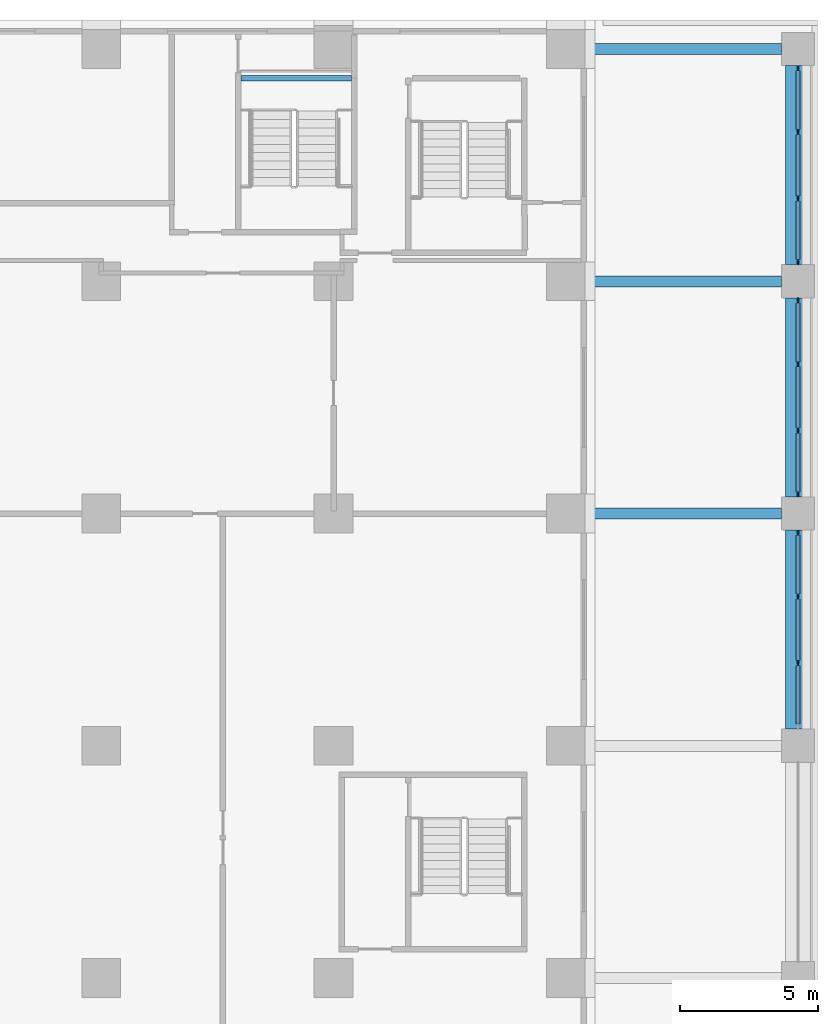
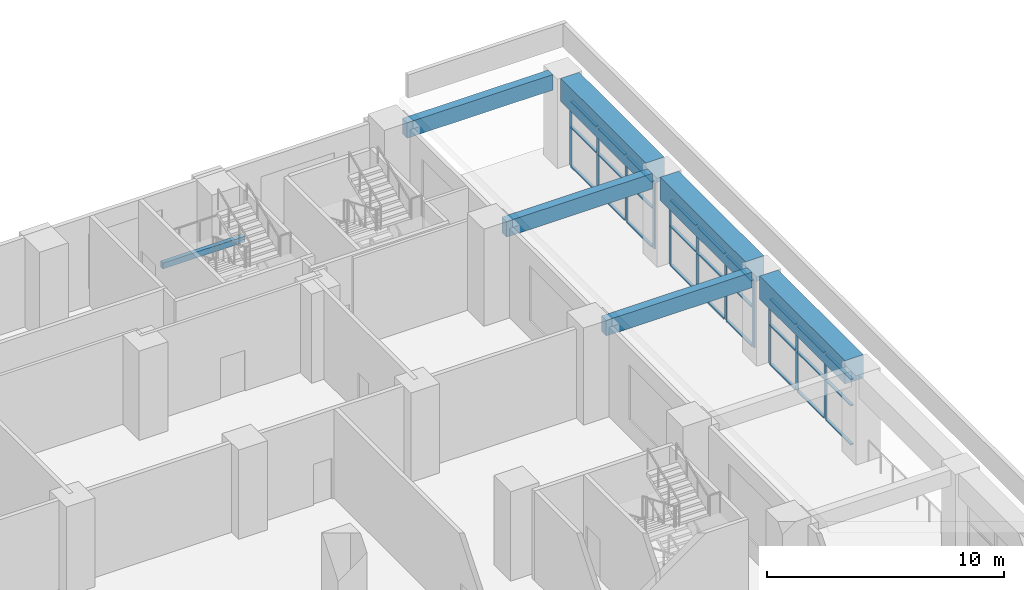
# One storey, part 3 of 29: 38 members, 7 beams, 3 elements without a shape of their own.
"""IFC4 building model written with IfcOpenShell, lengths in metres."""

from ifc_helpers import new_model, si_unit, direction, frame, origin, origin_2d, place, context, subcontext, project, spatial, rectangle, extrude, material, material_profile, profile_set, type_object, element, aggregate, save


model = new_model("IFC4")

# Units and contexts
model_context = context("Model", 3, precision=1e-05, world=origin(), true_north=direction((0.0, 1.0)))
body_context = subcontext(model_context, "Body", "Model", "MODEL_VIEW")
ifc_project = project(units=[si_unit("LENGTHUNIT", "METRE"), si_unit("AREAUNIT", "SQUARE_METRE"), si_unit("VOLUMEUNIT", "CUBIC_METRE"), si_unit("PLANEANGLEUNIT", "RADIAN"), si_unit("MASSUNIT", "GRAM", prefix="KILO")], contexts=[model_context])

# Site, building, storey
site_placement = place(None, origin())
site = spatial("IfcSite", under=ifc_project, at=site_placement, CompositionType="ELEMENT")
building_placement = place(site_placement, origin())
building = spatial("IfcBuilding", under=site, at=building_placement, Name="Vermilion Ogive Tower", CompositionType="ELEMENT")
storey_placement = place(building_placement, frame((0.0, 0.0, 7.5)))
storey = spatial("IfcBuildingStorey", under=building, at=storey_placement, Name="L01", CompositionType="ELEMENT", Elevation=7.5)

# Beams
ifc_material_1 = material(Name="Concrete B45", Category="concrete")
ifc_material_profile_1 = material_profile(ifc_material_1, rectangle(XDim=0.89990234375, YDim=1.199951171875, at=origin_2d()), Name="RC 900x1200")
ifc_profile_set_1 = profile_set([ifc_material_profile_1], Name="Concrete B45")
beam_type_1 = type_object("IfcBeamType", Name="Arcade edge beam AB1 900x1200", PredefinedType="BEAM", material=ifc_profile_set_1)
for number, where, z_axis, x_axis, name in (
    (1, (58.800048828125, 4.800048828125, 4.0), (0.0, 1.0, 0.0), (-1.0, 0.0, 0.0), "Arcade edge beam L01 05"),
    (2, (58.800048828125, 13.199951171875, 4.0), (0.0, 1.0, 0.0), (-1.0, 0.0, 0.0), "Arcade edge beam L01 06"),
    (3, (58.800048828125, 21.60009765625, 4.0), (0.0, 1.0, 0.0), (-1.0, 0.0, 0.0), "Arcade edge beam L01 07"),
):
    element("IfcBeam", number, at=place(storey_placement, frame(where, z_axis=z_axis, x_axis=x_axis)), inside=storey, type_object=beam_type_1, Name=name, PredefinedType="BEAM", context=body_context, shape_type="SweptSolid", body=[
        extrude(rectangle(XDim=0.89990234375, YDim=1.199951171875, at=origin_2d()), origin(), (0.0, 0.0, 1.0), 7.199951171875),
    ])

# Curtain wall, members
ifc_material_2 = material(Name="Clear double glazing in aluminium frame", Category="aluminium")
curtain_wall_type = type_object("IfcCurtainWallType", Name="Curtain wall CW2", PredefinedType="NOTDEFINED", material=ifc_material_2)
curtain_wall_1_placement = place(storey_placement, origin())
curtain_wall_1 = element("IfcCurtainWall", 4, at=curtain_wall_1_placement, inside=storey, type_object=curtain_wall_type, Name="CW2 arcade glazing L01 5", PredefinedType="NOTDEFINED")
ifc_material_3 = material(Name="Aluminium mullion", Category="aluminium")
ifc_material_profile_2 = material_profile(ifc_material_3, rectangle(XDim=0.06005859375, YDim=0.179931640625, at=origin_2d()), Name="AL 60x180")
ifc_profile_set_2 = profile_set([ifc_material_profile_2], Name="Aluminium mullion")
member_type_1 = type_object("IfcMemberType", Name="CW2 mullion 60x180", PredefinedType="MULLION", material=ifc_profile_set_2)
member_1_placement = place(storey_placement, frame((58.800048828125, 7.199951171875, 0.0), z_axis=(0.0, 0.0, 1.0), x_axis=(-1.0, 0.0, 0.0)))
member_1 = element("IfcMember", 5, at=member_1_placement, type_object=member_type_1, Name="CW2-015 mullion 2", PredefinedType="MULLION", context=body_context, shape_type="SweptSolid", body=[
    extrude(rectangle(XDim=0.06005859375, YDim=0.179931640625, at=origin_2d()), origin(), (0.0, 0.0, 1.0), 3.39990234375),
])
member_2_placement = place(storey_placement, frame((58.800048828125, 9.60009765625, 0.0), z_axis=(0.0, 0.0, 1.0), x_axis=(-1.0, 0.0, 0.0)))
member_2 = element("IfcMember", 6, at=member_2_placement, type_object=member_type_1, Name="CW2-015 mullion 3", PredefinedType="MULLION", context=body_context, shape_type="SweptSolid", body=[
    extrude(rectangle(XDim=0.06005859375, YDim=0.179931640625, at=origin_2d()), origin(), (0.0, 0.0, 1.0), 3.39990234375),
])
member_3_placement = place(storey_placement, frame((58.800048828125, 11.909912109375, 0.0), z_axis=(0.0, 0.0, 1.0), x_axis=(-1.0, 0.0, 0.0)))
member_3 = element("IfcMember", 7, at=member_3_placement, type_object=member_type_1, Name="CW2-015 mullion 4", PredefinedType="MULLION", context=body_context, shape_type="SweptSolid", body=[
    extrude(rectangle(XDim=0.06005859375, YDim=0.179931640625, at=origin_2d()), origin(), (0.0, 0.0, 1.0), 3.39990234375),
])

curtain_wall_2_placement = place(storey_placement, origin())
curtain_wall_2 = element("IfcCurtainWall", 8, at=curtain_wall_2_placement, inside=storey, type_object=curtain_wall_type, Name="CW2 arcade glazing L01 6", PredefinedType="NOTDEFINED")
member_4_placement = place(storey_placement, frame((58.800048828125, 13.2900390625, 0.0), z_axis=(0.0, 0.0, 1.0), x_axis=(-1.0, 0.0, 0.0)))
member_4 = element("IfcMember", 9, at=member_4_placement, type_object=member_type_1, Name="CW2-016 mullion 1", PredefinedType="MULLION", context=body_context, shape_type="SweptSolid", body=[
    extrude(rectangle(XDim=0.06005859375, YDim=0.179931640625, at=origin_2d()), origin(), (0.0, 0.0, 1.0), 3.39990234375),
])
member_5_placement = place(storey_placement, frame((58.800048828125, 15.60009765625, 0.0), z_axis=(0.0, 0.0, 1.0), x_axis=(-1.0, 0.0, 0.0)))
member_5 = element("IfcMember", 10, at=member_5_placement, type_object=member_type_1, Name="CW2-016 mullion 2", PredefinedType="MULLION", context=body_context, shape_type="SweptSolid", body=[
    extrude(rectangle(XDim=0.06005859375, YDim=0.179931640625, at=origin_2d()), origin(), (0.0, 0.0, 1.0), 3.39990234375),
])
member_6_placement = place(storey_placement, frame((58.800048828125, 18.0, 0.0), z_axis=(0.0, 0.0, 1.0), x_axis=(-1.0, 0.0, 0.0)))
member_6 = element("IfcMember", 11, at=member_6_placement, type_object=member_type_1, Name="CW2-016 mullion 3", PredefinedType="MULLION", context=body_context, shape_type="SweptSolid", body=[
    extrude(rectangle(XDim=0.06005859375, YDim=0.179931640625, at=origin_2d()), origin(), (0.0, 0.0, 1.0), 3.39990234375),
])
member_7_placement = place(storey_placement, frame((58.800048828125, 20.31005859375, 0.0), z_axis=(0.0, 0.0, 1.0), x_axis=(-1.0, 0.0, 0.0)))
member_7 = element("IfcMember", 12, at=member_7_placement, type_object=member_type_1, Name="CW2-016 mullion 4", PredefinedType="MULLION", context=body_context, shape_type="SweptSolid", body=[
    extrude(rectangle(XDim=0.06005859375, YDim=0.179931640625, at=origin_2d()), origin(), (0.0, 0.0, 1.0), 3.39990234375),
])

curtain_wall_3_placement = place(storey_placement, origin())
curtain_wall_3 = element("IfcCurtainWall", 13, at=curtain_wall_3_placement, inside=storey, type_object=curtain_wall_type, Name="CW2 arcade glazing L01 7", PredefinedType="NOTDEFINED")
member_8_placement = place(storey_placement, frame((58.800048828125, 21.68994140625, 0.0), z_axis=(0.0, 0.0, 1.0), x_axis=(-1.0, 0.0, 0.0)))
member_8 = element("IfcMember", 14, at=member_8_placement, type_object=member_type_1, Name="CW2-017 mullion 1", PredefinedType="MULLION", context=body_context, shape_type="SweptSolid", body=[
    extrude(rectangle(XDim=0.06005859375, YDim=0.179931640625, at=origin_2d()), origin(), (0.0, 0.0, 1.0), 3.39990234375),
])
member_9_placement = place(storey_placement, frame((58.800048828125, 24.0, 0.0), z_axis=(0.0, 0.0, 1.0), x_axis=(-1.0, 0.0, 0.0)))
member_9 = element("IfcMember", 15, at=member_9_placement, type_object=member_type_1, Name="CW2-017 mullion 2", PredefinedType="MULLION", context=body_context, shape_type="SweptSolid", body=[
    extrude(rectangle(XDim=0.06005859375, YDim=0.179931640625, at=origin_2d()), origin(), (0.0, 0.0, 1.0), 3.39990234375),
])
member_10_placement = place(storey_placement, frame((58.800048828125, 26.39990234375, 0.0), z_axis=(0.0, 0.0, 1.0), x_axis=(-1.0, 0.0, 0.0)))
member_10 = element("IfcMember", 16, at=member_10_placement, type_object=member_type_1, Name="CW2-017 mullion 3", PredefinedType="MULLION", context=body_context, shape_type="SweptSolid", body=[
    extrude(rectangle(XDim=0.06005859375, YDim=0.179931640625, at=origin_2d()), origin(), (0.0, 0.0, 1.0), 3.39990234375),
])
member_11_placement = place(storey_placement, frame((58.800048828125, 28.7099609375, 0.0), z_axis=(0.0, 0.0, 1.0), x_axis=(-1.0, 0.0, 0.0)))
member_11 = element("IfcMember", 17, at=member_11_placement, type_object=member_type_1, Name="CW2-017 mullion 4", PredefinedType="MULLION", context=body_context, shape_type="SweptSolid", body=[
    extrude(rectangle(XDim=0.06005859375, YDim=0.179931640625, at=origin_2d()), origin(), (0.0, 0.0, 1.0), 3.39990234375),
])

# Member
ifc_material_4 = material(Name="Aluminium transom", Category="aluminium")
ifc_material_profile_3 = material_profile(ifc_material_4, rectangle(XDim=0.139892578125, YDim=0.06005859375, at=origin_2d()), Name="AL 60x140")
ifc_profile_set_3 = profile_set([ifc_material_profile_3], Name="Aluminium transom")
member_type_2 = type_object("IfcMemberType", Name="CW2 transom 60x140", PredefinedType="USERDEFINED", material=ifc_profile_set_3)
member_12_placement = place(storey_placement, frame((58.800048828125, 4.97998046875, 0.030029296875), z_axis=(0.0, 1.0, 0.0), x_axis=(-1.0, 0.0, 0.0)))
member_12 = element("IfcMember", 18, at=member_12_placement, type_object=member_type_2, Name="CW2-015 transom 1.1", ObjectType="TRANSOM", PredefinedType="USERDEFINED", context=body_context, shape_type="SweptSolid", body=[
    extrude(rectangle(XDim=0.139892578125, YDim=0.06005859375, at=origin_2d()), origin(), (0.0, 0.0, 1.0), 2.130126953125),
])

member_13_placement = place(storey_placement, frame((58.800048828125, 4.97998046875, 2.0400390625), z_axis=(0.0, 1.0, 0.0), x_axis=(-1.0, 0.0, 0.0)))
member_13 = element("IfcMember", 19, at=member_13_placement, type_object=member_type_2, Name="CW2-015 transom 1.2", ObjectType="TRANSOM", PredefinedType="USERDEFINED", context=body_context, shape_type="SweptSolid", body=[
    extrude(rectangle(XDim=0.139892578125, YDim=0.06005859375, at=origin_2d()), origin(), (0.0, 0.0, 1.0), 2.130126953125),
])

member_14_placement = place(storey_placement, frame((58.800048828125, 4.97998046875, 3.3701171875), z_axis=(0.0, 1.0, 0.0), x_axis=(-1.0, 0.0, 0.0)))
member_14 = element("IfcMember", 20, at=member_14_placement, type_object=member_type_2, Name="CW2-015 transom 1.3", ObjectType="TRANSOM", PredefinedType="USERDEFINED", context=body_context, shape_type="SweptSolid", body=[
    extrude(rectangle(XDim=0.139892578125, YDim=0.06005859375, at=origin_2d()), origin(), (0.0, 0.0, 1.0), 2.130126953125),
])

member_15_placement = place(storey_placement, frame((58.800048828125, 7.2900390625, 0.030029296875), z_axis=(0.0, 1.0, 0.0), x_axis=(-1.0, 0.0, 0.0)))
member_15 = element("IfcMember", 21, at=member_15_placement, type_object=member_type_2, Name="CW2-015 transom 2.1", ObjectType="TRANSOM", PredefinedType="USERDEFINED", context=body_context, shape_type="SweptSolid", body=[
    extrude(rectangle(XDim=0.139892578125, YDim=0.06005859375, at=origin_2d()), origin(), (0.0, 0.0, 1.0), 2.219970703125),
])

member_16_placement = place(storey_placement, frame((58.800048828125, 7.2900390625, 2.0400390625), z_axis=(0.0, 1.0, 0.0), x_axis=(-1.0, 0.0, 0.0)))
member_16 = element("IfcMember", 22, at=member_16_placement, type_object=member_type_2, Name="CW2-015 transom 2.2", ObjectType="TRANSOM", PredefinedType="USERDEFINED", context=body_context, shape_type="SweptSolid", body=[
    extrude(rectangle(XDim=0.139892578125, YDim=0.06005859375, at=origin_2d()), origin(), (0.0, 0.0, 1.0), 2.219970703125),
])

member_17_placement = place(storey_placement, frame((58.800048828125, 7.2900390625, 3.3701171875), z_axis=(0.0, 1.0, 0.0), x_axis=(-1.0, 0.0, 0.0)))
member_17 = element("IfcMember", 23, at=member_17_placement, type_object=member_type_2, Name="CW2-015 transom 2.3", ObjectType="TRANSOM", PredefinedType="USERDEFINED", context=body_context, shape_type="SweptSolid", body=[
    extrude(rectangle(XDim=0.139892578125, YDim=0.06005859375, at=origin_2d()), origin(), (0.0, 0.0, 1.0), 2.219970703125),
])

member_18_placement = place(storey_placement, frame((58.800048828125, 9.68994140625, 0.030029296875), z_axis=(0.0, 1.0, 0.0), x_axis=(-1.0, 0.0, 0.0)))
member_18 = element("IfcMember", 24, at=member_18_placement, type_object=member_type_2, Name="CW2-015 transom 3.1", ObjectType="TRANSOM", PredefinedType="USERDEFINED", context=body_context, shape_type="SweptSolid", body=[
    extrude(rectangle(XDim=0.139892578125, YDim=0.06005859375, at=origin_2d()), origin(), (0.0, 0.0, 1.0), 2.130126953125),
])

member_19_placement = place(storey_placement, frame((58.800048828125, 9.68994140625, 2.0400390625), z_axis=(0.0, 1.0, 0.0), x_axis=(-1.0, 0.0, 0.0)))
member_19 = element("IfcMember", 25, at=member_19_placement, type_object=member_type_2, Name="CW2-015 transom 3.2", ObjectType="TRANSOM", PredefinedType="USERDEFINED", context=body_context, shape_type="SweptSolid", body=[
    extrude(rectangle(XDim=0.139892578125, YDim=0.06005859375, at=origin_2d()), origin(), (0.0, 0.0, 1.0), 2.130126953125),
])

member_20_placement = place(storey_placement, frame((58.800048828125, 9.68994140625, 3.3701171875), z_axis=(0.0, 1.0, 0.0), x_axis=(-1.0, 0.0, 0.0)))
member_20 = element("IfcMember", 26, at=member_20_placement, type_object=member_type_2, Name="CW2-015 transom 3.3", ObjectType="TRANSOM", PredefinedType="USERDEFINED", context=body_context, shape_type="SweptSolid", body=[
    extrude(rectangle(XDim=0.139892578125, YDim=0.06005859375, at=origin_2d()), origin(), (0.0, 0.0, 1.0), 2.130126953125),
])

aggregate(curtain_wall_1, [member_1, member_2, member_3, member_12, member_13, member_14, member_15, member_16, member_17, member_18, member_19, member_20])

member_21_placement = place(storey_placement, frame((58.800048828125, 13.3798828125, 0.030029296875), z_axis=(0.0, 1.0, 0.0), x_axis=(-1.0, 0.0, 0.0)))
member_21 = element("IfcMember", 27, at=member_21_placement, type_object=member_type_2, Name="CW2-016 transom 1.1", ObjectType="TRANSOM", PredefinedType="USERDEFINED", context=body_context, shape_type="SweptSolid", body=[
    extrude(rectangle(XDim=0.139892578125, YDim=0.06005859375, at=origin_2d()), origin(), (0.0, 0.0, 1.0), 2.130126953125),
])

member_22_placement = place(storey_placement, frame((58.800048828125, 13.3798828125, 2.0400390625), z_axis=(0.0, 1.0, 0.0), x_axis=(-1.0, 0.0, 0.0)))
member_22 = element("IfcMember", 28, at=member_22_placement, type_object=member_type_2, Name="CW2-016 transom 1.2", ObjectType="TRANSOM", PredefinedType="USERDEFINED", context=body_context, shape_type="SweptSolid", body=[
    extrude(rectangle(XDim=0.139892578125, YDim=0.06005859375, at=origin_2d()), origin(), (0.0, 0.0, 1.0), 2.130126953125),
])

member_23_placement = place(storey_placement, frame((58.800048828125, 13.3798828125, 3.3701171875), z_axis=(0.0, 1.0, 0.0), x_axis=(-1.0, 0.0, 0.0)))
member_23 = element("IfcMember", 29, at=member_23_placement, type_object=member_type_2, Name="CW2-016 transom 1.3", ObjectType="TRANSOM", PredefinedType="USERDEFINED", context=body_context, shape_type="SweptSolid", body=[
    extrude(rectangle(XDim=0.139892578125, YDim=0.06005859375, at=origin_2d()), origin(), (0.0, 0.0, 1.0), 2.130126953125),
])

member_24_placement = place(storey_placement, frame((58.800048828125, 15.68994140625, 0.030029296875), z_axis=(0.0, 1.0, 0.0), x_axis=(-1.0, 0.0, 0.0)))
member_24 = element("IfcMember", 30, at=member_24_placement, type_object=member_type_2, Name="CW2-016 transom 2.1", ObjectType="TRANSOM", PredefinedType="USERDEFINED", context=body_context, shape_type="SweptSolid", body=[
    extrude(rectangle(XDim=0.139892578125, YDim=0.06005859375, at=origin_2d()), origin(), (0.0, 0.0, 1.0), 2.219970703125),
])

member_25_placement = place(storey_placement, frame((58.800048828125, 15.68994140625, 2.0400390625), z_axis=(0.0, 1.0, 0.0), x_axis=(-1.0, 0.0, 0.0)))
member_25 = element("IfcMember", 31, at=member_25_placement, type_object=member_type_2, Name="CW2-016 transom 2.2", ObjectType="TRANSOM", PredefinedType="USERDEFINED", context=body_context, shape_type="SweptSolid", body=[
    extrude(rectangle(XDim=0.139892578125, YDim=0.06005859375, at=origin_2d()), origin(), (0.0, 0.0, 1.0), 2.219970703125),
])

member_26_placement = place(storey_placement, frame((58.800048828125, 15.68994140625, 3.3701171875), z_axis=(0.0, 1.0, 0.0), x_axis=(-1.0, 0.0, 0.0)))
member_26 = element("IfcMember", 32, at=member_26_placement, type_object=member_type_2, Name="CW2-016 transom 2.3", ObjectType="TRANSOM", PredefinedType="USERDEFINED", context=body_context, shape_type="SweptSolid", body=[
    extrude(rectangle(XDim=0.139892578125, YDim=0.06005859375, at=origin_2d()), origin(), (0.0, 0.0, 1.0), 2.219970703125),
])

member_27_placement = place(storey_placement, frame((58.800048828125, 18.090087890625, 0.030029296875), z_axis=(0.0, 1.0, 0.0), x_axis=(-1.0, 0.0, 0.0)))
member_27 = element("IfcMember", 33, at=member_27_placement, type_object=member_type_2, Name="CW2-016 transom 3.1", ObjectType="TRANSOM", PredefinedType="USERDEFINED", context=body_context, shape_type="SweptSolid", body=[
    extrude(rectangle(XDim=0.139892578125, YDim=0.06005859375, at=origin_2d()), origin(), (0.0, 0.0, 1.0), 2.1298828125),
])

member_28_placement = place(storey_placement, frame((58.800048828125, 18.090087890625, 2.0400390625), z_axis=(0.0, 1.0, 0.0), x_axis=(-1.0, 0.0, 0.0)))
member_28 = element("IfcMember", 34, at=member_28_placement, type_object=member_type_2, Name="CW2-016 transom 3.2", ObjectType="TRANSOM", PredefinedType="USERDEFINED", context=body_context, shape_type="SweptSolid", body=[
    extrude(rectangle(XDim=0.139892578125, YDim=0.06005859375, at=origin_2d()), origin(), (0.0, 0.0, 1.0), 2.1298828125),
])

member_29_placement = place(storey_placement, frame((58.800048828125, 18.090087890625, 3.3701171875), z_axis=(0.0, 1.0, 0.0), x_axis=(-1.0, 0.0, 0.0)))
member_29 = element("IfcMember", 35, at=member_29_placement, type_object=member_type_2, Name="CW2-016 transom 3.3", ObjectType="TRANSOM", PredefinedType="USERDEFINED", context=body_context, shape_type="SweptSolid", body=[
    extrude(rectangle(XDim=0.139892578125, YDim=0.06005859375, at=origin_2d()), origin(), (0.0, 0.0, 1.0), 2.1298828125),
])

aggregate(curtain_wall_2, [member_4, member_5, member_6, member_7, member_21, member_22, member_23, member_24, member_25, member_26, member_27, member_28, member_29])

member_30_placement = place(storey_placement, frame((58.800048828125, 21.780029296875, 0.030029296875), z_axis=(0.0, 1.0, 0.0), x_axis=(-1.0, 0.0, 0.0)))
member_30 = element("IfcMember", 36, at=member_30_placement, type_object=member_type_2, Name="CW2-017 transom 1.1", ObjectType="TRANSOM", PredefinedType="USERDEFINED", context=body_context, shape_type="SweptSolid", body=[
    extrude(rectangle(XDim=0.139892578125, YDim=0.06005859375, at=origin_2d()), origin(), (0.0, 0.0, 1.0), 2.1298828125),
])

member_31_placement = place(storey_placement, frame((58.800048828125, 21.780029296875, 2.0400390625), z_axis=(0.0, 1.0, 0.0), x_axis=(-1.0, 0.0, 0.0)))
member_31 = element("IfcMember", 37, at=member_31_placement, type_object=member_type_2, Name="CW2-017 transom 1.2", ObjectType="TRANSOM", PredefinedType="USERDEFINED", context=body_context, shape_type="SweptSolid", body=[
    extrude(rectangle(XDim=0.139892578125, YDim=0.06005859375, at=origin_2d()), origin(), (0.0, 0.0, 1.0), 2.1298828125),
])

member_32_placement = place(storey_placement, frame((58.800048828125, 21.780029296875, 3.3701171875), z_axis=(0.0, 1.0, 0.0), x_axis=(-1.0, 0.0, 0.0)))
member_32 = element("IfcMember", 38, at=member_32_placement, type_object=member_type_2, Name="CW2-017 transom 1.3", ObjectType="TRANSOM", PredefinedType="USERDEFINED", context=body_context, shape_type="SweptSolid", body=[
    extrude(rectangle(XDim=0.139892578125, YDim=0.06005859375, at=origin_2d()), origin(), (0.0, 0.0, 1.0), 2.1298828125),
])

member_33_placement = place(storey_placement, frame((58.800048828125, 24.090087890625, 0.030029296875), z_axis=(0.0, 1.0, 0.0), x_axis=(-1.0, 0.0, 0.0)))
member_33 = element("IfcMember", 39, at=member_33_placement, type_object=member_type_2, Name="CW2-017 transom 2.1", ObjectType="TRANSOM", PredefinedType="USERDEFINED", context=body_context, shape_type="SweptSolid", body=[
    extrude(rectangle(XDim=0.139892578125, YDim=0.06005859375, at=origin_2d()), origin(), (0.0, 0.0, 1.0), 2.219970703125),
])

member_34_placement = place(storey_placement, frame((58.800048828125, 24.090087890625, 2.0400390625), z_axis=(0.0, 1.0, 0.0), x_axis=(-1.0, 0.0, 0.0)))
member_34 = element("IfcMember", 40, at=member_34_placement, type_object=member_type_2, Name="CW2-017 transom 2.2", ObjectType="TRANSOM", PredefinedType="USERDEFINED", context=body_context, shape_type="SweptSolid", body=[
    extrude(rectangle(XDim=0.139892578125, YDim=0.06005859375, at=origin_2d()), origin(), (0.0, 0.0, 1.0), 2.219970703125),
])

member_35_placement = place(storey_placement, frame((58.800048828125, 24.090087890625, 3.3701171875), z_axis=(0.0, 1.0, 0.0), x_axis=(-1.0, 0.0, 0.0)))
member_35 = element("IfcMember", 41, at=member_35_placement, type_object=member_type_2, Name="CW2-017 transom 2.3", ObjectType="TRANSOM", PredefinedType="USERDEFINED", context=body_context, shape_type="SweptSolid", body=[
    extrude(rectangle(XDim=0.139892578125, YDim=0.06005859375, at=origin_2d()), origin(), (0.0, 0.0, 1.0), 2.219970703125),
])

member_36_placement = place(storey_placement, frame((58.800048828125, 26.489990234375, 0.030029296875), z_axis=(0.0, 1.0, 0.0), x_axis=(-1.0, 0.0, 0.0)))
member_36 = element("IfcMember", 42, at=member_36_placement, type_object=member_type_2, Name="CW2-017 transom 3.1", ObjectType="TRANSOM", PredefinedType="USERDEFINED", context=body_context, shape_type="SweptSolid", body=[
    extrude(rectangle(XDim=0.139892578125, YDim=0.06005859375, at=origin_2d()), origin(), (0.0, 0.0, 1.0), 2.130126953125),
])

member_37_placement = place(storey_placement, frame((58.800048828125, 26.489990234375, 2.0400390625), z_axis=(0.0, 1.0, 0.0), x_axis=(-1.0, 0.0, 0.0)))
member_37 = element("IfcMember", 43, at=member_37_placement, type_object=member_type_2, Name="CW2-017 transom 3.2", ObjectType="TRANSOM", PredefinedType="USERDEFINED", context=body_context, shape_type="SweptSolid", body=[
    extrude(rectangle(XDim=0.139892578125, YDim=0.06005859375, at=origin_2d()), origin(), (0.0, 0.0, 1.0), 2.130126953125),
])

member_38_placement = place(storey_placement, frame((58.800048828125, 26.489990234375, 3.3701171875), z_axis=(0.0, 1.0, 0.0), x_axis=(-1.0, 0.0, 0.0)))
member_38 = element("IfcMember", 44, at=member_38_placement, type_object=member_type_2, Name="CW2-017 transom 3.3", ObjectType="TRANSOM", PredefinedType="USERDEFINED", context=body_context, shape_type="SweptSolid", body=[
    extrude(rectangle(XDim=0.139892578125, YDim=0.06005859375, at=origin_2d()), origin(), (0.0, 0.0, 1.0), 2.130126953125),
])

aggregate(curtain_wall_3, [member_8, member_9, member_10, member_11, member_30, member_31, member_32, member_33, member_34, member_35, member_36, member_37, member_38])

# Beams
ifc_material_5 = material(Name="Concrete B45", Category="concrete")
ifc_material_profile_4 = material_profile(ifc_material_5, rectangle(XDim=0.199951171875, YDim=0.300048828125, at=origin_2d()), Name="RC 200x300")
ifc_profile_set_4 = profile_set([ifc_material_profile_4], Name="Concrete B45")
beam_type_2 = type_object("IfcBeamType", Name="Stair landing edge beam LB1 200x300", PredefinedType="BEAM", material=ifc_profile_set_4)
beam_placement = place(storey_placement, frame((38.650146484375, 28.35009765625, 2.14990234375), z_axis=(1.0, 0.0, 0.0), x_axis=(0.0, 1.0, 0.0)))
element("IfcBeam", 45, at=beam_placement, inside=storey, type_object=beam_type_2, Name="L01 stair landing edge beam", PredefinedType="BEAM", context=body_context, shape_type="SweptSolid", body=[
    extrude(rectangle(XDim=0.199951171875, YDim=0.300048828125, at=origin_2d()), origin(), (0.0, 0.0, 1.0), 3.999755859375),
])
ifc_material_6 = material(Name="Concrete B45", Category="concrete")
ifc_material_profile_5 = material_profile(ifc_material_6, rectangle(XDim=0.39990234375, YDim=0.800048828125, at=origin_2d()), Name="RC 400x800")
ifc_profile_set_5 = profile_set([ifc_material_profile_5], Name="Concrete B45")
beam_type_3 = type_object("IfcBeamType", Name="Terrace roof beam TB1 400x800", PredefinedType="BEAM", material=ifc_profile_set_5)
for number, where, z_axis, x_axis, name in (
    (46, (58.199951171875, 12.60009765625, 4.199951171875), (-1.0, 0.0, 0.0), (0.0, -1.0, 0.0), "Terrace roof beam L01 1-6"),
    (47, (58.199951171875, 21.0, 4.199951171875), (-1.0, 0.0, 0.0), (0.0, -1.0, 0.0), "Terrace roof beam L01 1-7"),
    (48, (58.199951171875, 29.39990234375, 4.199951171875), (-1.0, 0.0, 0.0), (0.0, -1.0, 0.0), "Terrace roof beam L01 1-8"),
):
    element("IfcBeam", number, at=place(storey_placement, frame(where, z_axis=z_axis, x_axis=x_axis)), inside=storey, type_object=beam_type_3, Name=name, PredefinedType="BEAM", context=body_context, shape_type="SweptSolid", body=[
        extrude(rectangle(XDim=0.39990234375, YDim=0.800048828125, at=origin_2d()), origin(), (0.0, 0.0, 1.0), 7.099853515625),
    ])

save(model, "model.ifc")
